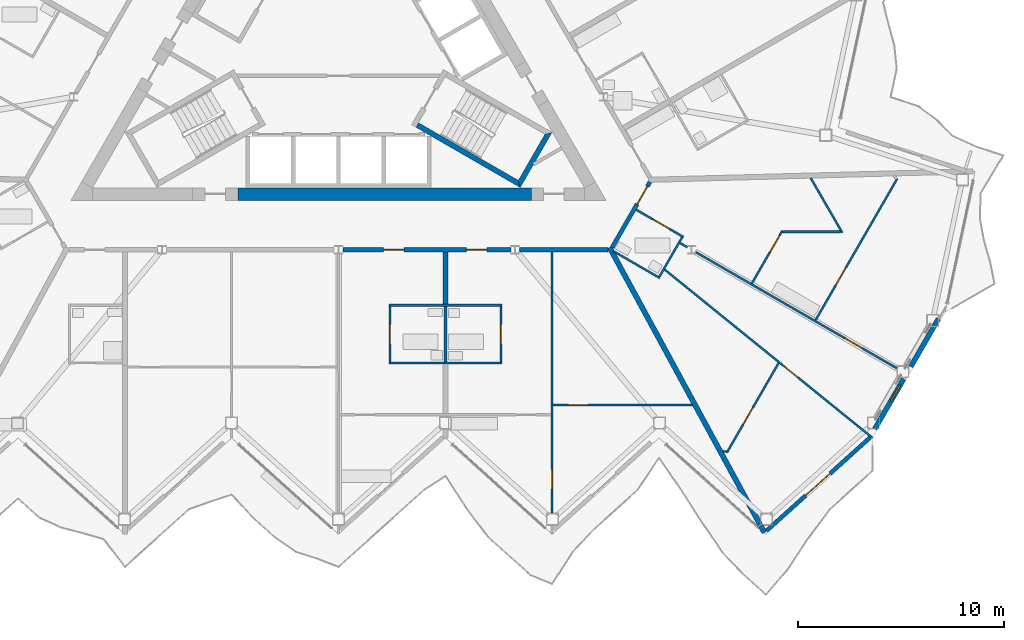
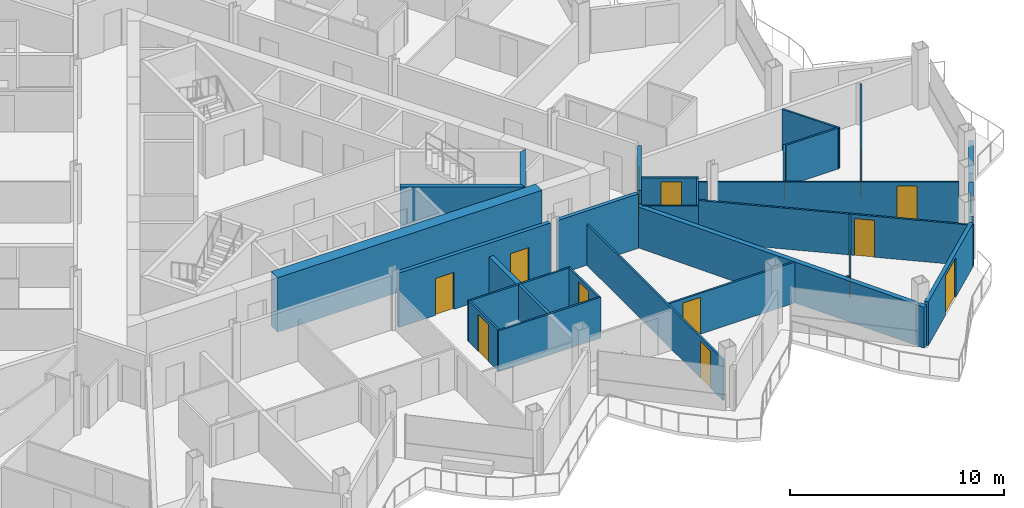
# One storey, part 16 of 28: 31 walls, 14 doors, 1 window, 15 openings.
"""IFC4 building model written with IfcOpenShell, lengths in metres."""

from ifc_helpers import new_model, si_unit, direction, frame, frame_2d, origin, place, context, subcontext, project, spatial, polyline, rectangle, outline, extrude, material, layer, layer_set, type_object, element, fill, save


model = new_model("IFC4")

# Units and contexts
model_context = context("Model", 3, precision=1e-05, world=origin(), true_north=direction((0.0, 1.0)))
body_context = subcontext(model_context, "Body", "Model", "MODEL_VIEW")
ifc_project = project(units=[si_unit("LENGTHUNIT", "METRE"), si_unit("AREAUNIT", "SQUARE_METRE"), si_unit("VOLUMEUNIT", "CUBIC_METRE"), si_unit("PLANEANGLEUNIT", "RADIAN"), si_unit("MASSUNIT", "GRAM", prefix="KILO")], contexts=[model_context])

# Site, building, storey
site_placement = place(None, origin())
site = spatial("IfcSite", under=ifc_project, at=site_placement, CompositionType="ELEMENT")
building_placement = place(site_placement, origin())
building = spatial("IfcBuilding", under=site, at=building_placement, Name="Cormorant Prow Tower", CompositionType="ELEMENT")
storey_placement = place(building_placement, frame((0.0, 0.0, 308.60009765625)))
storey = spatial("IfcBuildingStorey", under=building, at=storey_placement, Name="L67", CompositionType="ELEMENT", Elevation=308.60009765625)

# Wall
ifc_material_1 = material(Name="Concrete 8000 psi", Category="concrete")
ifc_layer_1 = layer(ifc_material_1, 0.60009765625)
ifc_layer_set_1 = layer_set([ifc_layer_1], Name="Concrete 8000 psi")
wall_type_1 = type_object("IfcWallType", Name="Core shear wall 600", PredefinedType="SHEAR", material=ifc_layer_set_1)
wall_1_placement = place(storey_placement, frame((-4.89208984375, -7.20556640625, 0.0), z_axis=(0.0, 0.0, 1.0), x_axis=(1.0, 0.0, 0.0)))
element("IfcWall", 1, at=wall_1_placement, inside=storey, type_object=wall_type_1, Name="Core wall", PredefinedType="SHEAR", context=body_context, shape_type="SweptSolid", body=[
    extrude(rectangle(XDim=14.2607421875, YDim=0.60009765625, at=frame_2d((7.13037109375, 0.0))), origin(), (0.0, 0.0, 1.0), 3.099853515625),
])

# Wall, openings, doors
ifc_material_2 = material(Name="Gypsum board corridor wall")
ifc_layer_2 = layer(ifc_material_2, 0.199951171875)
ifc_layer_set_2 = layer_set([ifc_layer_2], Name="Gypsum board corridor wall")
wall_type_2 = type_object("IfcWallType", Name="Corridor wall 200", PredefinedType="PARTITIONING", material=ifc_layer_set_2)
wall_2_placement = place(storey_placement, frame((0.207763671875, -9.905517578125, 0.0), z_axis=(0.0, 0.0, 1.0), x_axis=(1.0, 0.0, 0.0)))
wall_2 = element("IfcWall", 2, at=wall_2_placement, inside=storey, type_object=wall_type_2, Name="Corridor wall", PredefinedType="PARTITIONING", context=body_context, shape_type="SweptSolid", body=[
    extrude(rectangle(XDim=8.1630859375, YDim=0.199951171875, at=frame_2d((4.08154296875, 0.0))), origin(), (0.0, 0.0, 1.0), 3.099853515625),
])
opening_1_placement = place(wall_2_placement, frame((1.96630859375, 0.0, 0.0)))
opening_1 = element("IfcOpeningElement", 3, at=opening_1_placement, cuts=wall_2, Name="Opening L67-F03", PredefinedType="OPENING", context=body_context, shape_type="SweptSolid", body=[
    extrude(rectangle(XDim=1.0, YDim=2.10009765625, at=frame_2d((0.5, 1.050048828125))), frame((0.0, 0.10986328125, 0.0), z_axis=(0.0, -1.0, 0.0), x_axis=(1.0, 0.0, 0.0)), (0.0, 0.0, 1.0), 0.219970703125),
])
opening_2_placement = place(wall_2_placement, frame((6.00439453125, 0.0, 0.0)))
opening_2 = element("IfcOpeningElement", 4, at=opening_2_placement, cuts=wall_2, Name="Opening L67-F10", PredefinedType="OPENING", context=body_context, shape_type="SweptSolid", body=[
    extrude(rectangle(XDim=1.0, YDim=2.10009765625, at=frame_2d((0.5, 1.050048828125))), frame((0.0, 0.10986328125, 0.0), z_axis=(0.0, -1.0, 0.0), x_axis=(1.0, 0.0, 0.0)), (0.0, 0.0, 1.0), 0.219970703125),
])
ifc_material_3 = material(Name="Timber door leaf", Category="wood")
door_type_1 = type_object("IfcDoorType", Name="Flat or room entrance door 1000x2100", OperationType="NOTDEFINED", PredefinedType="DOOR", material=ifc_material_3)
door_1_placement = place(opening_1_placement, origin())
door_1 = element("IfcDoor", 5, at=door_1_placement, inside=storey, type_object=door_type_1, Name="Living room door", OperationType="SINGLE_SWING_LEFT", OverallHeight=2.10009765625, OverallWidth=1.0, PredefinedType="DOOR", context=body_context, shape_type="SweptSolid", body=[
    extrude(rectangle(XDim=1.0, YDim=2.10009765625, at=frame_2d((0.5, 1.050048828125))), frame((0.0, 0.02490234375, 0.0), z_axis=(0.0, -1.0, 0.0), x_axis=(1.0, 0.0, 0.0)), (0.0, 0.0, 1.0), 0.050048828125),
])
fill(opening_1, door_1)
door_2_placement = place(opening_2_placement, origin())
door_2 = element("IfcDoor", 6, at=door_2_placement, inside=storey, type_object=door_type_1, Name="Living room door", OperationType="SINGLE_SWING_LEFT", OverallHeight=2.10009765625, OverallWidth=1.0, PredefinedType="DOOR", context=body_context, shape_type="SweptSolid", body=[
    extrude(rectangle(XDim=1.0, YDim=2.10009765625, at=frame_2d((0.5, 1.050048828125))), frame((0.0, 0.02490234375, 0.0), z_axis=(0.0, -1.0, 0.0), x_axis=(1.0, 0.0, 0.0)), (0.0, 0.0, 1.0), 0.050048828125),
])
fill(opening_2, door_2)

# Wall
wall_3_placement = place(storey_placement, frame((8.7861328125, -9.905517578125, 0.0), z_axis=(0.0, 0.0, 1.0), x_axis=(1.0, 0.0, 0.0)))
element("IfcWall", 7, at=wall_3_placement, inside=storey, type_object=wall_type_2, Name="Corridor wall", PredefinedType="PARTITIONING", context=body_context, shape_type="SweptSolid", body=[
    extrude(rectangle(XDim=4.31982421875, YDim=0.199951171875, at=frame_2d((2.159912109375, 0.0))), origin(), (0.0, 0.0, 1.0), 3.099853515625),
])

# Wall, opening, door
wall_4_placement = place(storey_placement, frame((13.29345703125, -9.79736328125, 0.0), z_axis=(0.0, 0.0, 1.0), x_axis=(0.499967746641, 0.866044024469, 0.0)))
wall_4 = element("IfcWall", 8, at=wall_4_placement, inside=storey, type_object=wall_type_2, Name="Corridor wall", PredefinedType="PARTITIONING", context=body_context, shape_type="SweptSolid", body=[
    extrude(rectangle(XDim=3.676025390625, YDim=0.199951171875, at=frame_2d((1.837890625, 0.0))), origin(), (0.0, 0.0, 1.0), 3.099853515625),
])
opening_3_placement = place(wall_4_placement, frame((2.426025390625, 0.0, 0.0)))
opening_3 = element("IfcOpeningElement", 9, at=opening_3_placement, cuts=wall_4, Name="Opening L67-F15", PredefinedType="OPENING", context=body_context, shape_type="SweptSolid", body=[
    extrude(rectangle(XDim=1.0, YDim=2.10009765625, at=frame_2d((0.5, 1.050048828125))), frame((0.0, 0.10986328125, 0.0), z_axis=(0.0, -1.0, 0.0), x_axis=(1.0, 0.0, 0.0)), (0.0, 0.0, 1.0), 0.219970703125),
])
door_3_placement = place(opening_3_placement, origin())
door_3 = element("IfcDoor", 10, at=door_3_placement, inside=storey, type_object=door_type_1, Name="Living room door", OperationType="SINGLE_SWING_RIGHT", OverallHeight=2.10009765625, OverallWidth=1.0, PredefinedType="DOOR", context=body_context, shape_type="SweptSolid", body=[
    extrude(rectangle(XDim=1.0, YDim=2.10009765625, at=frame_2d((0.5, 1.050048828125))), frame((0.0, 0.02490234375, 0.0), z_axis=(0.0, -1.0, 0.0), x_axis=(1.0, 0.0, 0.0)), (0.0, 0.0, 1.0), 0.050048828125),
])
fill(opening_3, door_3)

ifc_material_4 = material(Name="Gypsum board partition")
ifc_layer_3 = layer(ifc_material_4, 0.10009765625)
ifc_layer_set_3 = layer_set([ifc_layer_3], Name="Gypsum board partition")
wall_type_3 = type_object("IfcWallType", Name="Internal partition 100", PredefinedType="PARTITIONING", material=ifc_layer_set_3)
wall_5_placement = place(storey_placement, frame((15.848388671875, -10.870849609375, 0.0), z_axis=(0.0, 0.0, 1.0), x_axis=(0.77713687197, -0.629331615465, 0.0)))
wall_5 = element("IfcWall", 11, at=wall_5_placement, inside=storey, type_object=wall_type_3, Name="Internal partition", PredefinedType="PARTITIONING", context=body_context, shape_type="SweptSolid", body=[
    extrude(rectangle(XDim=13.00439453125, YDim=0.10009765625, at=frame_2d((6.502197265625, 0.0))), origin(), (0.0, 0.0, 1.0), 2.330078125),
])
opening_4_placement = place(wall_5_placement, frame((7.383544921875, 0.0, 0.0)))
opening_4 = element("IfcOpeningElement", 12, at=opening_4_placement, cuts=wall_5, Name="Opening L67-F20", PredefinedType="OPENING", context=body_context, shape_type="SweptSolid", body=[
    extrude(rectangle(XDim=0.949951171875, YDim=2.10009765625, at=frame_2d((0.47509765625, 1.050048828125))), frame((0.0, 0.06005859375, 0.0), z_axis=(0.0, -1.0, 0.0), x_axis=(1.0, 0.0, 0.0)), (0.0, 0.0, 1.0), 0.1201171875),
])
ifc_material_5 = material(Name="Timber door leaf", Category="wood")
door_type_2 = type_object("IfcDoorType", Name="Bathroom door 950x2100", OperationType="NOTDEFINED", PredefinedType="DOOR", material=ifc_material_5)
door_4_placement = place(opening_4_placement, origin())
door_4 = element("IfcDoor", 13, at=door_4_placement, inside=storey, type_object=door_type_2, Name="Bedroom door", OperationType="SINGLE_SWING_LEFT", OverallHeight=2.10009765625, OverallWidth=0.949951171875, PredefinedType="DOOR", context=body_context, shape_type="SweptSolid", body=[
    extrude(rectangle(XDim=0.949951171875, YDim=2.10009765625, at=frame_2d((0.47509765625, 1.050048828125))), frame((0.0, 0.02490234375, 0.0), z_axis=(0.0, -1.0, 0.0), x_axis=(1.0, 0.0, 0.0)), (0.0, 0.0, 1.0), 0.050048828125),
])
fill(opening_4, door_4)

wall_6_placement = place(storey_placement, frame((10.3818359375, -22.697998046875, 0.0), z_axis=(0.0, 0.0, 1.0), x_axis=(0.0, 1.0, 0.0)))
wall_6 = element("IfcWall", 14, at=wall_6_placement, inside=storey, type_object=wall_type_3, Name="Internal partition", PredefinedType="PARTITIONING", context=body_context, shape_type="SweptSolid", body=[
    extrude(rectangle(XDim=12.6923828125, YDim=0.10009765625, at=frame_2d((6.34619140625, 0.0))), origin(), (0.0, 0.0, 1.0), 2.330078125),
])
opening_5_placement = place(wall_6_placement, frame((1.1533203125, 0.0, 0.0)))
opening_5 = element("IfcOpeningElement", 15, at=opening_5_placement, cuts=wall_6, Name="Opening L67-F13", PredefinedType="OPENING", context=body_context, shape_type="SweptSolid", body=[
    extrude(rectangle(XDim=0.949951171875, YDim=2.10009765625, at=frame_2d((0.47509765625, 1.050048828125))), frame((0.0, 0.06005859375, 0.0), z_axis=(0.0, -1.0, 0.0), x_axis=(1.0, 0.0, 0.0)), (0.0, 0.0, 1.0), 0.1201171875),
])
door_5_placement = place(opening_5_placement, origin())
door_5 = element("IfcDoor", 16, at=door_5_placement, inside=storey, type_object=door_type_2, Name="Kitchen door", OperationType="SINGLE_SWING_LEFT", OverallHeight=2.10009765625, OverallWidth=0.949951171875, PredefinedType="DOOR", context=body_context, shape_type="SweptSolid", body=[
    extrude(rectangle(XDim=0.949951171875, YDim=2.10009765625, at=frame_2d((0.47509765625, 1.050048828125))), frame((0.0, 0.02490234375, 0.0), z_axis=(0.0, -1.0, 0.0), x_axis=(1.0, 0.0, 0.0)), (0.0, 0.0, 1.0), 0.050048828125),
])
fill(opening_5, door_5)

wall_7_placement = place(storey_placement, frame((17.364501953125, -10.025390625, 0.0), z_axis=(0.0, 0.0, 1.0), x_axis=(0.866021046153, -0.500007547564, 0.0)))
wall_7 = element("IfcWall", 17, at=wall_7_placement, inside=storey, type_object=wall_type_3, Name="Internal partition", PredefinedType="PARTITIONING", context=body_context, shape_type="SweptSolid", body=[
    extrude(rectangle(XDim=11.267333984375, YDim=0.10009765625, at=frame_2d((5.6337890625, 0.0))), origin(), (0.0, 0.0, 1.0), 2.330078125),
])
opening_6_placement = place(wall_7_placement, frame((8.3642578125, 0.0, 0.0)))
opening_6 = element("IfcOpeningElement", 18, at=opening_6_placement, cuts=wall_7, Name="Opening L67-F19", PredefinedType="OPENING", context=body_context, shape_type="SweptSolid", body=[
    extrude(rectangle(XDim=0.949951171875, YDim=2.10009765625, at=frame_2d((0.47509765625, 1.050048828125))), frame((0.0, 0.06005859375, 0.0), z_axis=(0.0, -1.0, 0.0), x_axis=(1.0, 0.0, 0.0)), (0.0, 0.0, 1.0), 0.1201171875),
])
door_6_placement = place(opening_6_placement, origin())
door_6 = element("IfcDoor", 19, at=door_6_placement, inside=storey, type_object=door_type_2, Name="Dining room door", OperationType="SINGLE_SWING_LEFT", OverallHeight=2.10009765625, OverallWidth=0.949951171875, PredefinedType="DOOR", context=body_context, shape_type="SweptSolid", body=[
    extrude(rectangle(XDim=0.949951171875, YDim=2.10009765625, at=frame_2d((0.47509765625, 1.050048828125))), frame((0.0, 0.02490234375, 0.0), z_axis=(0.0, -1.0, 0.0), x_axis=(1.0, 0.0, 0.0)), (0.0, 0.0, 1.0), 0.050048828125),
])
fill(opening_6, door_6)

wall_8_placement = place(storey_placement, frame((23.182861328125, -13.326904296875, 0.0), z_axis=(0.0, 0.0, 1.0), x_axis=(0.499991741039, 0.866030172045, 0.0)))
wall_8 = element("IfcWall", 20, at=wall_8_placement, inside=storey, type_object=wall_type_3, Name="Internal partition", PredefinedType="PARTITIONING", context=body_context, shape_type="SweptSolid", body=[
    extrude(rectangle(XDim=7.926513671875, YDim=0.10009765625, at=frame_2d((3.96337890625, 0.0))), origin(), (0.0, 0.0, 1.0), 2.330078125),
])
opening_7_placement = place(wall_8_placement, frame((1.970458984375, 0.0, 0.0)))
opening_7 = element("IfcOpeningElement", 21, at=opening_7_placement, cuts=wall_8, Name="Opening L67-F18", PredefinedType="OPENING", context=body_context, shape_type="SweptSolid", body=[
    extrude(rectangle(XDim=0.949951171875, YDim=2.10009765625, at=frame_2d((0.47509765625, 1.050048828125))), frame((0.0, 0.06005859375, 0.0), z_axis=(0.0, -1.0, 0.0), x_axis=(1.0, 0.0, 0.0)), (0.0, 0.0, 1.0), 0.1201171875),
])
door_7_placement = place(opening_7_placement, origin())
door_7 = element("IfcDoor", 22, at=door_7_placement, inside=storey, type_object=door_type_2, Name="Kitchen door", OperationType="SINGLE_SWING_LEFT", OverallHeight=2.10009765625, OverallWidth=0.949951171875, PredefinedType="DOOR", context=body_context, shape_type="SweptSolid", body=[
    extrude(rectangle(XDim=0.949951171875, YDim=2.10009765625, at=frame_2d((0.47509765625, 1.050048828125))), frame((0.0, 0.02490234375, 0.0), z_axis=(0.0, -1.0, 0.0), x_axis=(1.0, 0.0, 0.0)), (0.0, 0.0, 1.0), 0.050048828125),
])
fill(opening_7, door_7)

wall_9_placement = place(storey_placement, frame((10.431884765625, -17.45751953125, 0.0), z_axis=(0.0, 0.0, 1.0), x_axis=(1.0, 0.0, 0.0)))
wall_9 = element("IfcWall", 23, at=wall_9_placement, inside=storey, type_object=wall_type_3, Name="Internal partition", PredefinedType="PARTITIONING", context=body_context, shape_type="SweptSolid", body=[
    extrude(rectangle(XDim=6.774658203125, YDim=0.10009765625, at=frame_2d((3.38720703125, 0.0))), origin(), (0.0, 0.0, 1.0), 2.330078125),
])
opening_8_placement = place(wall_9_placement, frame((0.752197265625, 0.0, 0.0)))
opening_8 = element("IfcOpeningElement", 24, at=opening_8_placement, cuts=wall_9, Name="Opening L67-F14", PredefinedType="OPENING", context=body_context, shape_type="SweptSolid", body=[
    extrude(rectangle(XDim=0.949951171875, YDim=2.10009765625, at=frame_2d((0.47509765625, 1.050048828125))), frame((0.0, 0.06005859375, 0.0), z_axis=(0.0, -1.0, 0.0), x_axis=(1.0, 0.0, 0.0)), (0.0, 0.0, 1.0), 0.1201171875),
])
door_8_placement = place(opening_8_placement, origin())
door_8 = element("IfcDoor", 25, at=door_8_placement, inside=storey, type_object=door_type_2, Name="Bedroom door", OperationType="SINGLE_SWING_LEFT", OverallHeight=2.10009765625, OverallWidth=0.949951171875, PredefinedType="DOOR", context=body_context, shape_type="SweptSolid", body=[
    extrude(rectangle(XDim=0.949951171875, YDim=2.10009765625, at=frame_2d((0.47509765625, 1.050048828125))), frame((0.0, 0.02490234375, 0.0), z_axis=(0.0, -1.0, 0.0), x_axis=(1.0, 0.0, 0.0)), (0.0, 0.0, 1.0), 0.050048828125),
])
fill(opening_8, door_8)

# Walls
for number, where, z_axis, x_axis, name in (
    (26, (2.44091796875, -12.605712890625, 0.0), (0.0, 0.0, 1.0), (1.0, 0.0, 0.0), "Internal partition"),
    (27, (2.44091796875, -15.405517578125, 0.0), (0.0, 0.0, 1.0), (1.0, 0.0, 0.0), "Internal partition"),
):
    element("IfcWall", number, at=place(storey_placement, frame(where, z_axis=z_axis, x_axis=x_axis)), inside=storey, type_object=wall_type_3, Name=name, PredefinedType="PARTITIONING", context=body_context, shape_type="SweptSolid", body=[
        extrude(rectangle(XDim=5.5, YDim=0.10009765625, at=frame_2d((2.75, 0.0))), origin(), (0.0, 0.0, 1.0), 2.330078125),
    ])

# Wall, opening, door
wall_10_placement = place(storey_placement, frame((18.872802734375, -19.763916015625, 0.0), z_axis=(0.0, 0.0, 1.0), x_axis=(0.499983455602, 0.866034955486, 0.0)))
wall_10 = element("IfcWall", 28, at=wall_10_placement, inside=storey, type_object=wall_type_3, Name="Internal partition", PredefinedType="PARTITIONING", context=body_context, shape_type="SweptSolid", body=[
    extrude(rectangle(XDim=5.020263671875, YDim=0.10009765625, at=frame_2d((2.51025390625, 0.0))), origin(), (0.0, 0.0, 1.0), 2.330078125),
])
opening_9_placement = place(wall_10_placement, frame((1.576171875, 0.0, 0.0)))
opening_9 = element("IfcOpeningElement", 29, at=opening_9_placement, cuts=wall_10, Name="Opening L67-F21", PredefinedType="OPENING", context=body_context, shape_type="SweptSolid", body=[
    extrude(rectangle(XDim=0.949951171875, YDim=2.10009765625, at=frame_2d((0.47509765625, 1.050048828125))), frame((0.0, 0.06005859375, 0.0), z_axis=(0.0, -1.0, 0.0), x_axis=(1.0, 0.0, 0.0)), (0.0, 0.0, 1.0), 0.1201171875),
])
door_9_placement = place(opening_9_placement, origin())
door_9 = element("IfcDoor", 30, at=door_9_placement, inside=storey, type_object=door_type_2, Name="Bedroom door", OperationType="SINGLE_SWING_RIGHT", OverallHeight=2.10009765625, OverallWidth=0.949951171875, PredefinedType="DOOR", context=body_context, shape_type="SweptSolid", body=[
    extrude(rectangle(XDim=0.949951171875, YDim=2.10009765625, at=frame_2d((0.47509765625, 1.050048828125))), frame((0.0, 0.02490234375, 0.0), z_axis=(0.0, -1.0, 0.0), x_axis=(1.0, 0.0, 0.0)), (0.0, 0.0, 1.0), 0.050048828125),
])
fill(opening_9, door_9)

# Wall
wall_11_placement = place(storey_placement, frame((22.940673828125, -6.41259765625, 0.0), z_axis=(0.0, 0.0, 1.0), x_axis=(0.500013199183, -0.866017783098, 0.0)))
element("IfcWall", 31, at=wall_11_placement, inside=storey, type_object=wall_type_3, Name="Internal partition", PredefinedType="PARTITIONING", context=body_context, shape_type="SweptSolid", body=[
    extrude(rectangle(XDim=3.0771484375, YDim=0.10009765625, at=frame_2d((1.53857421875, 0.0))), origin(), (0.0, 0.0, 1.0), 2.330078125),
])

# Wall, opening, door
wall_12_placement = place(storey_placement, frame((20.087646484375, -11.539794921875, 0.0), z_axis=(0.0, 0.0, 1.0), x_axis=(0.500055103712, 0.865993587304, 0.0)))
wall_12 = element("IfcWall", 32, at=wall_12_placement, inside=storey, type_object=wall_type_3, Name="Internal partition", PredefinedType="PARTITIONING", context=body_context, shape_type="SweptSolid", body=[
    extrude(rectangle(XDim=2.943603515625, YDim=0.10009765625, at=frame_2d((1.4716796875, 0.0))), origin(), (0.0, 0.0, 1.0), 2.330078125),
])
opening_10_placement = place(wall_12_placement, frame((1.74365234375, 0.0, 0.0)))
opening_10 = element("IfcOpeningElement", 33, at=opening_10_placement, cuts=wall_12, Name="Opening L67-F17", PredefinedType="OPENING", context=body_context, shape_type="SweptSolid", body=[
    extrude(rectangle(XDim=0.949951171875, YDim=2.10009765625, at=frame_2d((0.47509765625, 1.050048828125))), frame((0.0, 0.06005859375, 0.0), z_axis=(0.0, -1.0, 0.0), x_axis=(1.0, 0.0, 0.0)), (0.0, 0.0, 1.0), 0.1201171875),
])
door_10_placement = place(opening_10_placement, origin())
door_10 = element("IfcDoor", 34, at=door_10_placement, inside=storey, type_object=door_type_2, Name="Living room door", OperationType="SINGLE_SWING_RIGHT", OverallHeight=2.10009765625, OverallWidth=0.949951171875, PredefinedType="DOOR", context=body_context, shape_type="SweptSolid", body=[
    extrude(rectangle(XDim=0.949951171875, YDim=2.10009765625, at=frame_2d((0.47509765625, 1.050048828125))), frame((0.0, 0.02490234375, 0.0), z_axis=(0.0, -1.0, 0.0), x_axis=(1.0, 0.0, 0.0)), (0.0, 0.0, 1.0), 0.050048828125),
])
fill(opening_10, door_10)

# Wall
wall_13_placement = place(storey_placement, frame((21.58447265625, -9.033935546875, 0.0), z_axis=(0.0, 0.0, 1.0), x_axis=(1.0, 0.0, 0.0)))
element("IfcWall", 35, at=wall_13_placement, inside=storey, type_object=wall_type_3, Name="Internal partition", PredefinedType="PARTITIONING", context=body_context, shape_type="SweptSolid", body=[
    extrude(rectangle(XDim=2.81982421875, YDim=0.10009765625, at=frame_2d((1.409912109375, 0.0))), origin(), (0.0, 0.0, 1.0), 2.330078125),
])

# Wall, opening, door
wall_14_placement = place(storey_placement, frame((2.490966796875, -15.355712890625, 0.0), z_axis=(0.0, 0.0, 1.0), x_axis=(0.0, 1.0, 0.0)))
wall_14 = element("IfcWall", 36, at=wall_14_placement, inside=storey, type_object=wall_type_3, Name="Internal partition", PredefinedType="PARTITIONING", context=body_context, shape_type="SweptSolid", body=[
    extrude(rectangle(XDim=2.7001953125, YDim=0.10009765625, at=frame_2d((1.35009765625, 0.0))), origin(), (0.0, 0.0, 1.0), 2.330078125),
])
opening_11_placement = place(wall_14_placement, frame((0.875, 0.0, 0.0)))
opening_11 = element("IfcOpeningElement", 37, at=opening_11_placement, cuts=wall_14, Name="Opening L67-F04", PredefinedType="OPENING", context=body_context, shape_type="SweptSolid", body=[
    extrude(rectangle(XDim=0.949951171875, YDim=2.10009765625, at=frame_2d((0.47509765625, 1.050048828125))), frame((0.0, 0.06005859375, 0.0), z_axis=(0.0, -1.0, 0.0), x_axis=(1.0, 0.0, 0.0)), (0.0, 0.0, 1.0), 0.1201171875),
])
door_11_placement = place(opening_11_placement, origin())
door_11 = element("IfcDoor", 38, at=door_11_placement, inside=storey, type_object=door_type_2, Name="Living room door", OperationType="SINGLE_SWING_RIGHT", OverallHeight=2.10009765625, OverallWidth=0.949951171875, PredefinedType="DOOR", context=body_context, shape_type="SweptSolid", body=[
    extrude(rectangle(XDim=0.949951171875, YDim=2.10009765625, at=frame_2d((0.47509765625, 1.050048828125))), frame((0.0, 0.02490234375, 0.0), z_axis=(0.0, -1.0, 0.0), x_axis=(1.0, 0.0, 0.0)), (0.0, 0.0, 1.0), 0.050048828125),
])
fill(opening_11, door_11)

wall_15_placement = place(storey_placement, frame((7.890869140625, -15.355712890625, 0.0), z_axis=(0.0, 0.0, 1.0), x_axis=(0.0, 1.0, 0.0)))
wall_15 = element("IfcWall", 39, at=wall_15_placement, inside=storey, type_object=wall_type_3, Name="Internal partition", PredefinedType="PARTITIONING", context=body_context, shape_type="SweptSolid", body=[
    extrude(rectangle(XDim=2.7001953125, YDim=0.10009765625, at=frame_2d((1.35009765625, 0.0))), origin(), (0.0, 0.0, 1.0), 2.330078125),
])
opening_12_placement = place(wall_15_placement, frame((0.875, 0.0, 0.0)))
opening_12 = element("IfcOpeningElement", 40, at=opening_12_placement, cuts=wall_15, Name="Opening L67-F11", PredefinedType="OPENING", context=body_context, shape_type="SweptSolid", body=[
    extrude(rectangle(XDim=0.949951171875, YDim=2.10009765625, at=frame_2d((0.47509765625, 1.050048828125))), frame((0.0, 0.06005859375, 0.0), z_axis=(0.0, -1.0, 0.0), x_axis=(1.0, 0.0, 0.0)), (0.0, 0.0, 1.0), 0.1201171875),
])
door_12_placement = place(opening_12_placement, origin())
door_12 = element("IfcDoor", 41, at=door_12_placement, inside=storey, type_object=door_type_2, Name="Living room door", OperationType="SINGLE_SWING_LEFT", OverallHeight=2.10009765625, OverallWidth=0.949951171875, PredefinedType="DOOR", context=body_context, shape_type="SweptSolid", body=[
    extrude(rectangle(XDim=0.949951171875, YDim=2.10009765625, at=frame_2d((0.47509765625, 1.050048828125))), frame((0.0, 0.02490234375, 0.0), z_axis=(0.0, -1.0, 0.0), x_axis=(1.0, 0.0, 0.0)), (0.0, 0.0, 1.0), 0.050048828125),
])
fill(opening_12, door_12)

wall_16_placement = place(storey_placement, frame((14.467529296875, -7.963623046875, 0.0), z_axis=(0.0, 0.0, 1.0), x_axis=(0.865989200783, -0.500062700197, 0.0)))
wall_16 = element("IfcWall", 42, at=wall_16_placement, inside=storey, type_object=wall_type_3, Name="Internal partition", PredefinedType="PARTITIONING", context=body_context, shape_type="SweptSolid", body=[
    extrude(rectangle(XDim=2.650146484375, YDim=0.10009765625, at=frame_2d((1.3251953125, 0.0))), origin(), (0.0, 0.0, 1.0), 2.330078125),
])
opening_13_placement = place(wall_16_placement, frame((0.904541015625, 0.0, 0.0)))
opening_13 = element("IfcOpeningElement", 43, at=opening_13_placement, cuts=wall_16, Name="Opening L67-F16", PredefinedType="OPENING", context=body_context, shape_type="SweptSolid", body=[
    extrude(rectangle(XDim=0.949951171875, YDim=2.10009765625, at=frame_2d((0.47509765625, 1.050048828125))), frame((0.0, 0.06005859375, 0.0), z_axis=(0.0, -1.0, 0.0), x_axis=(1.0, 0.0, 0.0)), (0.0, 0.0, 1.0), 0.1201171875),
])
door_13_placement = place(opening_13_placement, origin())
door_13 = element("IfcDoor", 44, at=door_13_placement, inside=storey, type_object=door_type_2, Name="Living room door", OperationType="SINGLE_SWING_RIGHT", OverallHeight=2.10009765625, OverallWidth=0.949951171875, PredefinedType="DOOR", context=body_context, shape_type="SweptSolid", body=[
    extrude(rectangle(XDim=0.949951171875, YDim=2.10009765625, at=frame_2d((0.47509765625, 1.050048828125))), frame((0.0, 0.02490234375, 0.0), z_axis=(0.0, -1.0, 0.0), x_axis=(1.0, 0.0, 0.0)), (0.0, 0.0, 1.0), 0.050048828125),
])
fill(opening_13, door_13)

# Walls
wall_17_placement = place(storey_placement, frame((13.339111328125, -9.968017578125, 0.0), z_axis=(0.0, 0.0, 1.0), x_axis=(0.866036909293, -0.499980071345, 0.0)))
element("IfcWall", 45, at=wall_17_placement, inside=storey, type_object=wall_type_3, Name="Internal partition", PredefinedType="PARTITIONING", context=body_context, shape_type="SweptSolid", body=[
    extrude(rectangle(XDim=2.625, YDim=0.10009765625, at=frame_2d((1.3125, 0.0))), origin(), (0.0, 0.0, 1.0), 2.330078125),
])
wall_18_placement = place(storey_placement, frame((15.59423828125, -11.21240234375, 0.0), z_axis=(0.0, 0.0, 1.0), x_axis=(0.499898558967, 0.866083962871, 0.0)))
element("IfcWall", 46, at=wall_18_placement, inside=storey, type_object=wall_type_3, Name="Internal partition", PredefinedType="PARTITIONING", context=body_context, shape_type="SweptSolid", body=[
    extrude(rectangle(XDim=2.2001953125, YDim=0.10009765625, at=frame_2d((1.10009765625, 0.0))), origin(), (0.0, 0.0, 1.0), 2.330078125),
])
wall_19_placement = place(storey_placement, frame((16.593994140625, -9.58056640625, 0.0), z_axis=(0.0, 0.0, 1.0), x_axis=(0.866036909293, -0.499980071345, 0.0)))
element("IfcWall", 47, at=wall_19_placement, inside=storey, type_object=wall_type_3, Name="Internal partition", PredefinedType="PARTITIONING", context=body_context, shape_type="SweptSolid", body=[
    extrude(rectangle(XDim=0.41015625, YDim=0.10009765625, at=frame_2d((0.205078125, 0.0))), origin(), (0.0, 0.0, 1.0), 2.330078125),
])
wall_20_placement = place(storey_placement, frame((18.685302734375, -19.720703125, 0.0), z_axis=(0.0, 0.0, 1.0), x_axis=(1.0, 0.0, 0.0)))
element("IfcWall", 48, at=wall_20_placement, inside=storey, type_object=wall_type_3, Name="Internal partition", PredefinedType="PARTITIONING", context=body_context, shape_type="SweptSolid", body=[
    extrude(rectangle(XDim=0.162353515625, YDim=0.10009765625, at=frame_2d((0.0810546875, 0.0))), origin(), (0.0, 0.0, 1.0), 2.330078125),
])
ifc_material_6 = material(Name="Concrete 8000 psi", Category="concrete")
ifc_layer_4 = layer(ifc_material_6, 0.25)
ifc_layer_set_4 = layer_set([ifc_layer_4], Name="Concrete 8000 psi")
wall_type_4 = type_object("IfcWallType", Name="Stair wall 250", PredefinedType="SHEAR", material=ifc_layer_set_4)
wall_21_placement = place(storey_placement, origin())
element("IfcWall", 49, at=wall_21_placement, inside=storey, type_object=wall_type_4, Name="Stair ST2 enclosure wall (flank)", PredefinedType="SHEAR", context=body_context, shape_type="SweptSolid", body=[
    extrude(outline(polyline([(3.76318359375, -3.95556640625), (8.82958984375, -6.880615234375), (8.738037109375, -6.5390625), (3.88818359375, -3.739013671875), (3.76318359375, -3.95556640625)])), origin(), (0.0, 0.0, 1.0), 3.099853515625),
])
wall_22_placement = place(storey_placement, origin())
element("IfcWall", 50, at=wall_22_placement, inside=storey, type_object=wall_type_4, Name="Stair ST2 enclosure wall (end)", PredefinedType="SHEAR", context=body_context, shape_type="SweptSolid", body=[
    extrude(outline(polyline([(8.82958984375, -6.880615234375), (10.37353515625, -4.206298828125), (10.031982421875, -4.2978515625), (8.738037109375, -6.5390625), (8.82958984375, -6.880615234375)])), origin(), (0.0, 0.0, 1.0), 3.099853515625),
])
ifc_material_7 = material(Name="Acoustic gypsum party wall")
ifc_layer_5 = layer(ifc_material_7, 0.25)
ifc_layer_set_5 = layer_set([ifc_layer_5], Name="Acoustic gypsum party wall")
wall_type_5 = type_object("IfcWallType", Name="Suite party wall 250", PredefinedType="PARTITIONING", material=ifc_layer_set_5)
wall_23_placement = place(storey_placement, frame((13.171142578125, -9.795654296875, 0.0), z_axis=(0.0, 0.0, 1.0), x_axis=(0.477178668135, -0.878806303275, 0.0)))
element("IfcWall", 51, at=wall_23_placement, inside=storey, type_object=wall_type_5, Name="Suite party wall", PredefinedType="PARTITIONING", context=body_context, shape_type="SweptSolid", body=[
    extrude(rectangle(XDim=15.330078125, YDim=0.25, at=frame_2d((7.6650390625, 0.0))), origin(), (0.0, 0.0, 1.0), 2.330078125),
])
wall_24_placement = place(storey_placement, frame((5.19091796875, -12.5556640625, 0.0), z_axis=(0.0, 0.0, 1.0), x_axis=(0.0, 1.0, 0.0)))
element("IfcWall", 52, at=wall_24_placement, inside=storey, type_object=wall_type_5, Name="Suite party wall", PredefinedType="PARTITIONING", context=body_context, shape_type="SweptSolid", body=[
    extrude(rectangle(XDim=2.550048828125, YDim=0.25, at=frame_2d((1.27490234375, 0.0))), origin(), (0.0, 0.0, 1.0), 2.330078125),
])
wall_25_placement = place(storey_placement, frame((20.513671875, -23.318115234375, 0.0), z_axis=(0.0, 0.0, 1.0), x_axis=(0.477077538769, -0.878861207474, 0.0)))
element("IfcWall", 53, at=wall_25_placement, inside=storey, type_object=wall_type_5, Name="Suite party wall", PredefinedType="PARTITIONING", context=body_context, shape_type="SweptSolid", body=[
    extrude(rectangle(XDim=0.376220703125, YDim=0.25, at=frame_2d((0.18798828125, 0.0))), origin(), (0.0, 0.0, 1.0), 2.330078125),
])

# Wall, opening, window
ifc_material_8 = material(Name="Terracotta", Category="masonry")
ifc_layer_6 = layer(ifc_material_8, 0.25)
ifc_layer_set_6 = layer_set([ifc_layer_6], Name="Terracotta")
wall_type_6 = type_object("IfcWallType", Name="Terracotta bay wall 250", PredefinedType="SOLIDWALL", material=ifc_layer_set_6)
wall_26_placement = place(storey_placement, frame((26.0634765625, -18.61669921875, 0.0), z_axis=(0.0, 0.0, 1.0), x_axis=(0.499968627931, 0.866043515699, 0.0)))
wall_26 = element("IfcWall", 54, at=wall_26_placement, inside=storey, type_object=wall_type_6, Name="Terracotta bay wall ESE00", PredefinedType="SOLIDWALL", context=body_context, shape_type="SweptSolid", body=[
    extrude(rectangle(XDim=2.804443359375, YDim=0.25, at=frame_2d((1.40234375, 0.0))), origin(), (0.0, 0.0, 1.0), 2.48779296875),
])
opening_14_placement = place(wall_26_placement, frame((1.550048828125, 0.0, 1.60009765625)))
opening_14 = element("IfcOpeningElement", 55, at=opening_14_placement, cuts=wall_26, Name="Opening WN7", PredefinedType="OPENING", context=body_context, shape_type="SweptSolid", body=[
    extrude(rectangle(XDim=0.89990234375, YDim=0.60009765625, at=frame_2d((0.449951171875, 0.300048828125))), frame((0.0, 0.135009765625, 0.0), z_axis=(0.0, -1.0, 0.0), x_axis=(1.0, 0.0, 0.0)), (0.0, 0.0, 1.0), 0.27001953125),
])
ifc_material_9 = material(Name="Aluminium 6063-T6", Category="aluminium")
window_type = type_object("IfcWindowType", Name="Corner bay window 900x600", PartitioningType="SINGLE_PANEL", PredefinedType="WINDOW", material=ifc_material_9)
window_placement = place(opening_14_placement, origin())
window = element("IfcWindow", 56, at=window_placement, inside=storey, type_object=window_type, Name="Corner bay window ESE00", OverallHeight=0.60009765625, OverallWidth=0.89990234375, PartitioningType="SINGLE_PANEL", PredefinedType="WINDOW", context=body_context, shape_type="SweptSolid", body=[
    extrude(rectangle(XDim=0.89990234375, YDim=0.60009765625, at=frame_2d((0.449951171875, 0.300048828125))), frame((0.0, 0.030029296875, 0.0), z_axis=(0.0, -1.0, 0.0), x_axis=(1.0, 0.0, 0.0)), (0.0, 0.0, 1.0), 0.06005859375),
])
fill(opening_14, window)

# Wall
wall_27_placement = place(storey_placement, frame((27.81201171875, -15.588134765625, 0.0), z_axis=(0.0, 0.0, 1.0), x_axis=(0.500032109083, 0.866006864803, 0.0)))
element("IfcWall", 57, at=wall_27_placement, inside=storey, type_object=wall_type_6, Name="Terracotta bay wall ESE01", PredefinedType="SOLIDWALL", context=body_context, shape_type="SweptSolid", body=[
    extrude(rectangle(XDim=2.684326171875, YDim=0.25, at=frame_2d((1.34228515625, 0.0))), origin(), (0.0, 0.0, 1.0), 2.48779296875),
])

# Wall, opening, door
ifc_material_10 = material(Name="Terracotta", Category="masonry")
ifc_layer_7 = layer(ifc_material_10, 0.199951171875)
ifc_layer_set_7 = layer_set([ifc_layer_7], Name="Terracotta")
wall_type_7 = type_object("IfcWallType", Name="Terracotta jamb wall 200", PredefinedType="SOLIDWALL", material=ifc_layer_set_7)
wall_28_placement = place(storey_placement, frame((20.80615234375, -23.55615234375, 0.0), z_axis=(0.0, 0.0, 1.0), x_axis=(0.743145048269, 0.669130358924, 0.0)))
wall_28 = element("IfcWall", 58, at=wall_28_placement, inside=storey, type_object=wall_type_7, Name="Terracotta jamb wall S09", PredefinedType="SOLIDWALL", context=body_context, shape_type="SweptSolid", body=[
    extrude(rectangle(XDim=6.7587890625, YDim=0.199951171875, at=frame_2d((3.37939453125, 0.0))), origin(), (0.0, 0.0, 1.0), 2.48779296875),
])
opening_15_placement = place(wall_28_placement, frame((2.54541015625, 0.0, 0.0)))
opening_15 = element("IfcOpeningElement", 59, at=opening_15_placement, cuts=wall_28, Name="Opening ED67.05", PredefinedType="OPENING", context=body_context, shape_type="SweptSolid", body=[
    extrude(rectangle(XDim=1.60009765625, YDim=2.25, at=frame_2d((0.800048828125, 1.125))), frame((0.0, 0.10986328125, 0.0), z_axis=(0.0, -1.0, 0.0), x_axis=(1.0, 0.0, 0.0)), (0.0, 0.0, 1.0), 0.219970703125),
])
ifc_material_11 = material(Name="Aluminium 6063-T6", Category="aluminium")
door_type_3 = type_object("IfcDoorType", Name="Balcony door 1600x2250", OperationType="DOUBLE_DOOR_SINGLE_SWING", PredefinedType="DOOR", material=ifc_material_11)
door_14_placement = place(opening_15_placement, origin())
door_14 = element("IfcDoor", 60, at=door_14_placement, inside=storey, type_object=door_type_3, Name="Balcony door S09 ED67.05", OperationType="DOUBLE_DOOR_SINGLE_SWING", OverallHeight=2.25, OverallWidth=1.60009765625, PredefinedType="DOOR", context=body_context, shape_type="SweptSolid", body=[
    extrude(rectangle(XDim=1.60009765625, YDim=2.25, at=frame_2d((0.800048828125, 1.125))), frame((0.0, 0.02490234375, 0.0), z_axis=(0.0, -1.0, 0.0), x_axis=(1.0, 0.0, 0.0)), (0.0, 0.0, 1.0), 0.050048828125),
])
fill(opening_15, door_14)

# Wall
ifc_material_12 = material(Name="Plasterboard wet wall with pipe chase")
ifc_layer_8 = layer(ifc_material_12, 0.14990234375)
ifc_layer_set_8 = layer_set([ifc_layer_8], Name="Plasterboard wet wall with pipe chase")
wall_type_8 = type_object("IfcWallType", Name="Wet wall 150", PredefinedType="PLUMBINGWALL", material=ifc_layer_set_8)
wall_29_placement = place(storey_placement, frame((5.19091796875, -15.355712890625, 0.0), z_axis=(0.0, 0.0, 1.0), x_axis=(0.0, 1.0, 0.0)))
element("IfcWall", 61, at=wall_29_placement, inside=storey, type_object=wall_type_8, Name="Wet wall", PredefinedType="PLUMBINGWALL", context=body_context, shape_type="SweptSolid", body=[
    extrude(rectangle(XDim=2.7001953125, YDim=0.14990234375, at=frame_2d((1.35009765625, 0.0))), origin(), (0.0, 0.0, 1.0), 2.330078125),
])

save(model, "model.ifc")
